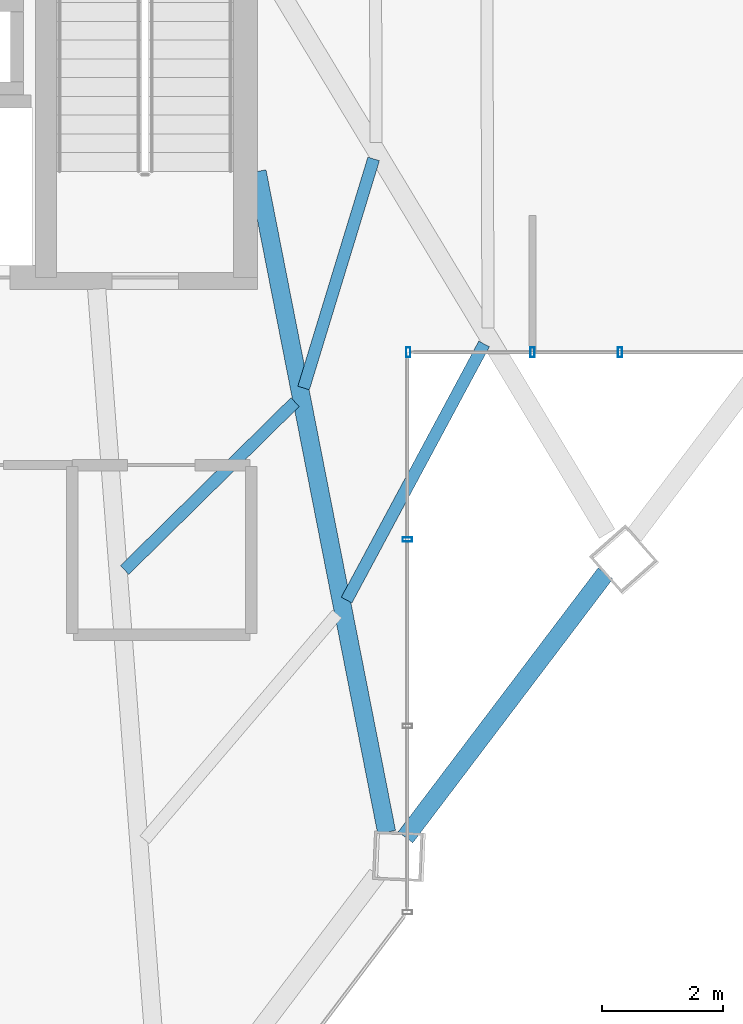
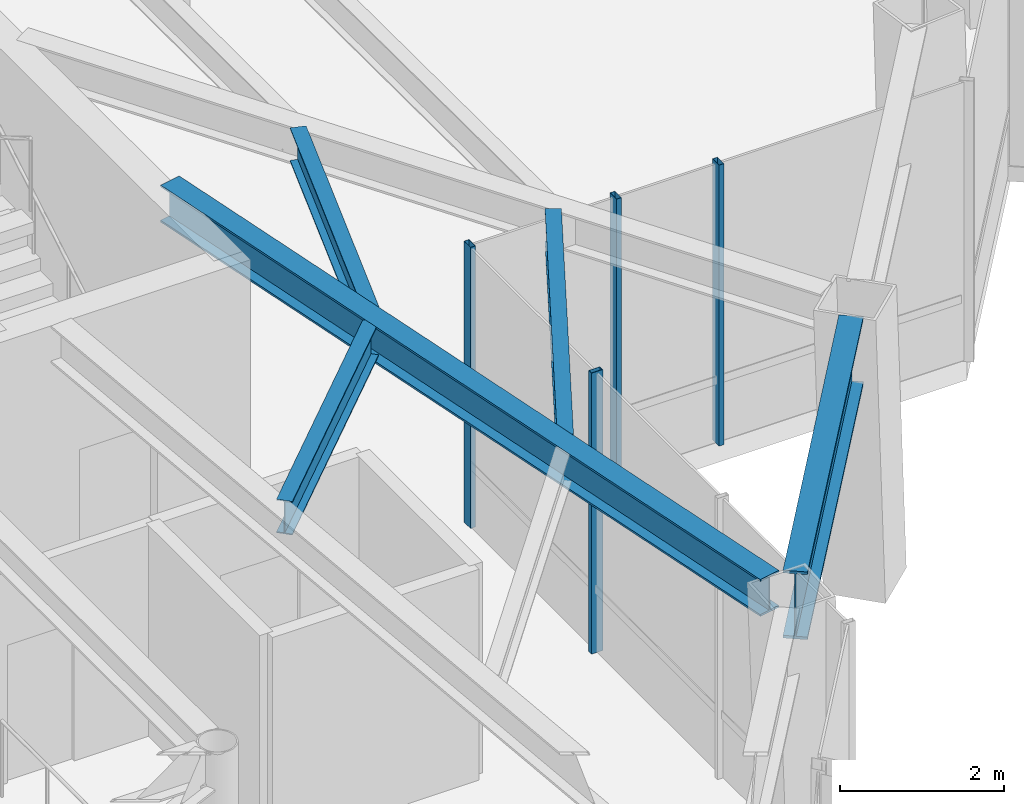
# One storey, part 16 of 25: 5 beams, 4 members, 2 elements without a shape of their own.
"""IFC4 building model written with IfcOpenShell, lengths in metres."""

from ifc_helpers import new_model, si_unit, direction, frame, origin, origin_2d, place, context, subcontext, project, spatial, hollow_rectangle, i_section, extrude, material, layer, layer_set, material_profile, profile_set, type_object, element, aggregate, save


model = new_model("IFC4")

# Units and contexts
model_context = context("Model", 3, precision=1e-05, world=origin(), true_north=direction((0.0, 1.0)))
body_context = subcontext(model_context, "Body", "Model", "MODEL_VIEW")
ifc_project = project(units=[si_unit("LENGTHUNIT", "METRE"), si_unit("AREAUNIT", "SQUARE_METRE"), si_unit("VOLUMEUNIT", "CUBIC_METRE"), si_unit("PLANEANGLEUNIT", "RADIAN"), si_unit("MASSUNIT", "GRAM", prefix="KILO")], contexts=[model_context])

# Site, building, storey
site_placement = place(None, origin())
site = spatial("IfcSite", under=ifc_project, at=site_placement, CompositionType="ELEMENT")
building_placement = place(site_placement, origin())
building = spatial("IfcBuilding", under=site, at=building_placement, Name="Zarrinselat Tower", CompositionType="ELEMENT")
storey_placement = place(building_placement, frame((0.0, 0.0, 119.0)))
storey = spatial("IfcBuildingStorey", under=building, at=storey_placement, Name="L28", CompositionType="ELEMENT", Elevation=119.0)

# Beams
ifc_material_1 = material(Name="Steel S355J2", Category="steel")
ifc_material_profile_1 = material_profile(ifc_material_1, i_section(OverallWidth=0.300048828125, OverallDepth=0.550048828125, WebThickness=0.014892578125, FlangeThickness=0.029052734375, at=origin_2d()), Name="HEB 550")
ifc_profile_set_1 = profile_set([ifc_material_profile_1], Name="Steel S355J2")
beam_type_1 = type_object("IfcBeamType", Name="BM-HEB550", PredefinedType="BEAM", material=ifc_profile_set_1)
beam_1_placement = place(storey_placement, frame((48.449951171875, 35.0, 3.905029296875), z_axis=(0.192394559614, -0.981317651645, 0.0), x_axis=(0.981317651645, 0.192394559614, 0.0)))
element("IfcBeam", 1, at=beam_1_placement, inside=storey, type_object=beam_type_1, Name="L28 Radial Primary Girder RG12", PredefinedType="BEAM", context=body_context, shape_type="SweptSolid", body=[
    extrude(i_section(OverallWidth=0.300048828125, OverallDepth=0.550048828125, WebThickness=0.014892578125, FlangeThickness=0.029052734375, at=origin_2d()), origin(), (0.0, 0.0, 1.0), 11.11865234375),
])
ifc_material_2 = material(Name="Steel S460M", Category="steel")
ifc_material_profile_2 = material_profile(ifc_material_2, i_section(OverallWidth=0.302001953125, OverallDepth=1.008056640625, WebThickness=0.02099609375, FlangeThickness=0.0400390625, at=origin_2d()), Name="HEM 1000")
ifc_profile_set_2 = profile_set([ifc_material_profile_2], Name="Steel S460M")
beam_type_2 = type_object("IfcBeamType", Name="BM-HEM1000", PredefinedType="BEAM", material=ifc_profile_set_2)
beam_2_placement = place(storey_placement, frame((50.900634765625, 24.00390625, 3.676025390625), z_axis=(0.603885188212, 0.79707131391, 0.0), x_axis=(-0.79707131391, 0.603885188212, 0.0)))
element("IfcBeam", 2, at=beam_2_placement, inside=storey, type_object=beam_type_2, Name="L28 Perimeter Spandrel Girder SP12", PredefinedType="BEAM", context=body_context, shape_type="SweptSolid", body=[
    extrude(i_section(OverallWidth=0.302001953125, OverallDepth=1.008056640625, WebThickness=0.02099609375, FlangeThickness=0.0400390625, at=origin_2d()), origin(), (0.0, 0.0, 1.0), 5.469482421875),
])
ifc_material_3 = material(Name="Steel S355J2", Category="steel")
ifc_material_profile_3 = material_profile(ifc_material_3, i_section(OverallWidth=0.199951171875, OverallDepth=0.5, WebThickness=0.01025390625, FlangeThickness=0.01611328125, at=origin_2d()), Name="IPE 500")
ifc_profile_set_3 = profile_set([ifc_material_profile_3], Name="Steel S355J2")
beam_type_3 = type_object("IfcBeamType", Name="BM-IPE500", PredefinedType="JOIST", material=ifc_profile_set_3)
beam_3_placement = place(storey_placement, frame((46.26171875, 28.417724609375, 3.929931640625), z_axis=(0.71233732768, 0.70183725435, 0.0), x_axis=(-0.70183725435, 0.71233732768, 0.0)))
element("IfcBeam", 3, at=beam_3_placement, inside=storey, type_object=beam_type_3, Name="L28 Composite Floor Joist 3-2", PredefinedType="JOIST", context=body_context, shape_type="SweptSolid", body=[
    extrude(i_section(OverallWidth=0.199951171875, OverallDepth=0.5, WebThickness=0.01025390625, FlangeThickness=0.01611328125, at=origin_2d()), origin(), (0.0, 0.0, 1.0), 3.95263671875),
])
beam_4_placement = place(storey_placement, frame((49.927978515625, 27.922119140625, 3.929931640625), z_axis=(0.47300164135, 0.881061545682, 0.0), x_axis=(-0.881061545682, 0.47300164135, 0.0)))
element("IfcBeam", 4, at=beam_4_placement, inside=storey, type_object=beam_type_3, Name="L28 Composite Floor Joist 4-1", PredefinedType="JOIST", context=body_context, shape_type="SweptSolid", body=[
    extrude(i_section(OverallWidth=0.199951171875, OverallDepth=0.5, WebThickness=0.01025390625, FlangeThickness=0.01611328125, at=origin_2d()), origin(), (0.0, 0.0, 1.0), 4.80078125),
])
beam_5_placement = place(storey_placement, frame((49.21826171875, 31.42431640625, 3.929931640625), z_axis=(0.292246754572, 0.956342948132, 0.0), x_axis=(-0.956342948132, 0.292246754572, 0.0)))
element("IfcBeam", 5, at=beam_5_placement, inside=storey, type_object=beam_type_3, Name="L28 Composite Floor Joist 4-2", PredefinedType="JOIST", context=body_context, shape_type="SweptSolid", body=[
    extrude(i_section(OverallWidth=0.199951171875, OverallDepth=0.5, WebThickness=0.01025390625, FlangeThickness=0.01611328125, at=origin_2d()), origin(), (0.0, 0.0, 1.0), 3.956298828125),
])

# Curtain wall, members
ifc_material_4 = material(Name="Extruded Aluminium Alloy EN AW-6063 T6", Category="aluminium")
ifc_layer = layer(ifc_material_4, 0.18994140625)
ifc_layer_set = layer_set([ifc_layer], Name="Extruded Aluminium Alloy EN AW-6063 T6")
curtain_wall_type = type_object("IfcCurtainWallType", Name="CWS-SG", PredefinedType="NOTDEFINED", material=ifc_layer_set)
curtain_wall_1_placement = place(storey_placement, origin())
curtain_wall_1 = element("IfcCurtainWall", 6, at=curtain_wall_1_placement, inside=storey, type_object=curtain_wall_type, Name="L28 Unitised Curtain Wall CW-L28-E07", PredefinedType="NOTDEFINED")
ifc_material_5 = material(Name="Extruded Aluminium Alloy EN AW-6063 T6", Category="aluminium")
ifc_material_profile_4 = material_profile(ifc_material_5, hollow_rectangle(XDim=0.070068359375, YDim=0.159912109375, WallThickness=0.00390625, at=origin_2d()), Name="RHS 160x70x4")
ifc_profile_set_4 = profile_set([ifc_material_profile_4], Name="Extruded Aluminium Alloy EN AW-6063 T6")
member_type = type_object("IfcMemberType", Name="MEM-CW-MUL2", PredefinedType="MULLION", material=ifc_profile_set_4)
member_1_placement = place(storey_placement, frame((54.4423828125, 32.014892578125, 0.0), z_axis=(0.0, 0.0, 1.0), x_axis=(-1.0, 0.0, 0.0)))
member_1 = element("IfcMember", 7, at=member_1_placement, type_object=member_type, Name="CW-L28-E07 Mullion 1", PredefinedType="MULLION", context=body_context, shape_type="SweptSolid", body=[
    extrude(hollow_rectangle(XDim=0.070068359375, YDim=0.159912109375, WallThickness=0.00390625, at=origin_2d()), origin(), (0.0, 0.0, 1.0), 4.179931640625),
])
member_2_placement = place(storey_placement, frame((53.0, 32.014892578125, 0.0), z_axis=(0.0, 0.0, 1.0), x_axis=(-1.0, 0.0, 0.0)))
member_2 = element("IfcMember", 8, at=member_2_placement, type_object=member_type, Name="CW-L28-E07 Mullion 2", PredefinedType="MULLION", context=body_context, shape_type="SweptSolid", body=[
    extrude(hollow_rectangle(XDim=0.070068359375, YDim=0.159912109375, WallThickness=0.00390625, at=origin_2d()), origin(), (0.0, 0.0, 1.0), 4.179931640625),
])
member_3_placement = place(storey_placement, frame((50.946533203125, 32.014892578125, 0.0), z_axis=(0.0, 0.0, 1.0), x_axis=(-1.0, 0.0, 0.0)))
member_3 = element("IfcMember", 9, at=member_3_placement, type_object=member_type, Name="CW-L28-E07 Mullion 3", PredefinedType="MULLION", context=body_context, shape_type="SweptSolid", body=[
    extrude(hollow_rectangle(XDim=0.070068359375, YDim=0.159912109375, WallThickness=0.00390625, at=origin_2d()), origin(), (0.0, 0.0, 1.0), 4.179931640625),
])
aggregate(curtain_wall_1, [member_1, member_2, member_3])

# Curtain wall, member
curtain_wall_2_placement = place(storey_placement, origin())
curtain_wall_2 = element("IfcCurtainWall", 10, at=curtain_wall_2_placement, inside=storey, type_object=curtain_wall_type, Name="L28 Unitised Curtain Wall CW-L28-E24", PredefinedType="NOTDEFINED")
member_4_placement = place(storey_placement, frame((50.931396484375, 28.922119140625, 0.0), z_axis=(0.0, 0.0, 1.0), x_axis=(0.0, -1.0, 0.0)))
member_4 = element("IfcMember", 11, at=member_4_placement, type_object=member_type, Name="CW-L28-E24 Mullion 1", PredefinedType="MULLION", context=body_context, shape_type="SweptSolid", body=[
    extrude(hollow_rectangle(XDim=0.070068359375, YDim=0.159912109375, WallThickness=0.00390625, at=origin_2d()), origin(), (0.0, 0.0, 1.0), 4.179931640625),
])
aggregate(curtain_wall_2, [member_4])

save(model, "model.ifc")
